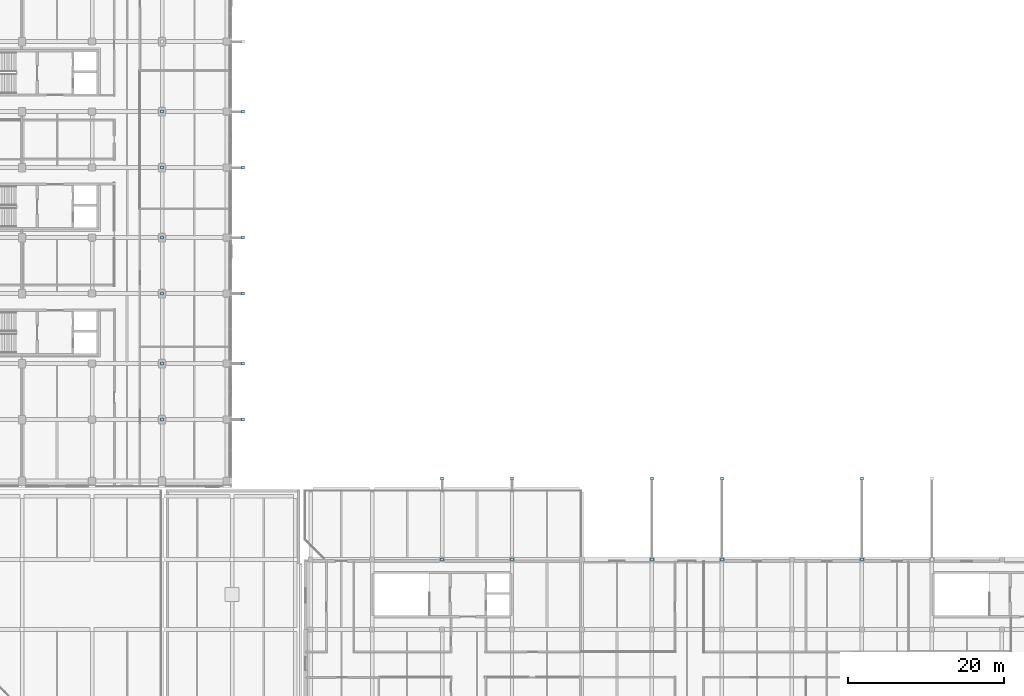
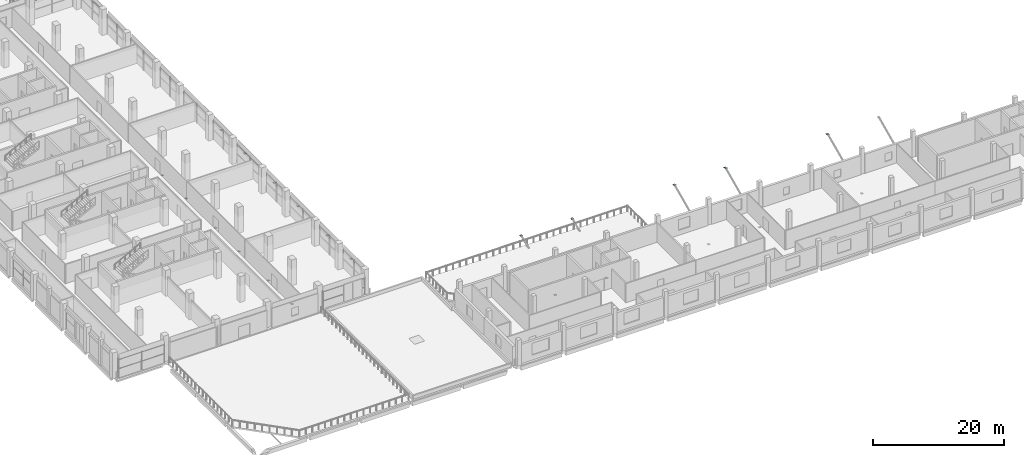
# One storey, part 42 of 82: 22 plates.
"""IFC4 building model written with IfcOpenShell, lengths in metres."""

from ifc_helpers import new_model, si_unit, direction, frame, origin, origin_2d, place, context, subcontext, project, spatial, rectangle, extrude, material, layer, layer_set, type_object, element, save


model = new_model("IFC4")

# Units and contexts
model_context = context("Model", 3, precision=1e-05, world=origin(), true_north=direction((0.0, 1.0)))
body_context = subcontext(model_context, "Body", "Model", "MODEL_VIEW")
ifc_project = project(units=[si_unit("LENGTHUNIT", "METRE"), si_unit("AREAUNIT", "SQUARE_METRE"), si_unit("VOLUMEUNIT", "CUBIC_METRE"), si_unit("PLANEANGLEUNIT", "RADIAN"), si_unit("MASSUNIT", "GRAM", prefix="KILO"), si_unit("THERMODYNAMICTEMPERATUREUNIT", "KELVIN"), si_unit("POWERUNIT", "WATT")], contexts=[model_context])

# Site, building, storey
site_placement = place(None, origin())
site = spatial("IfcSite", under=ifc_project, at=site_placement, CompositionType="ELEMENT")
building_placement = place(site_placement, origin())
building = spatial("IfcBuilding", under=site, at=building_placement, Name="Sindhuravela Promenade Stadium", CompositionType="ELEMENT")
storey_placement = place(building_placement, frame((0.0, 0.0, 14.39990234375)))
storey = spatial("IfcBuildingStorey", under=building, at=storey_placement, Name="L03", CompositionType="ELEMENT", Elevation=14.39990234375)

# Plates
ifc_material = material(Name="Steel E350 (IS 2062 E350BR)", Category="steel")
ifc_layer = layer(ifc_material, 0.033935546875)
ifc_layer_set = layer_set([ifc_layer], Name="Steel E350 (IS 2062 E350BR)")
plate_type = type_object("IfcPlateType", Name="ST-PL-CAP34", PredefinedType="USERDEFINED", material=ifc_layer_set)
for number, where, z_axis, x_axis, name in (
    (1, (36.0, 45.0, -3.81689453125), (0.0, 0.0, 1.0), (1.0, 0.0, 0.0), "Hollow strut end cap plate CP02 1A"),
    (2, (46.39990234375, 45.0, 0.93310546875), (0.0, 0.0, 1.0), (1.0, 0.0, 0.0), "Hollow strut end cap plate CP02 2B"),
    (3, (36.0, 52.199951171875, -3.81689453125), (0.0, 0.0, 1.0), (1.0, 0.0, 0.0), "Hollow strut end cap plate CP02 5A"),
    (4, (46.39990234375, 52.199951171875, 0.93310546875), (0.0, 0.0, 1.0), (1.0, 0.0, 0.0), "Hollow strut end cap plate CP02 6B"),
    (5, (36.0, 61.199951171875, -3.81689453125), (0.0, 0.0, 1.0), (1.0, 0.0, 0.0), "Hollow strut end cap plate CP02 9A"),
    (6, (46.39990234375, 61.199951171875, 0.93310546875), (0.0, 0.0, 1.0), (1.0, 0.0, 0.0), "Hollow strut end cap plate CP02 10B"),
    (7, (36.0, 68.39990234375, -3.81689453125), (0.0, 0.0, 1.0), (1.0, 0.0, 0.0), "Hollow strut end cap plate CP02 13A"),
    (8, (46.39990234375, 68.39990234375, 0.93310546875), (0.0, 0.0, 1.0), (1.0, 0.0, 0.0), "Hollow strut end cap plate CP02 14B"),
    (9, (36.0, 77.39990234375, -3.81689453125), (0.0, 0.0, 1.0), (1.0, 0.0, 0.0), "Hollow strut end cap plate CP02 17A"),
    (10, (46.39990234375, 77.39990234375, 0.93310546875), (0.0, 0.0, 1.0), (1.0, 0.0, 0.0), "Hollow strut end cap plate CP02 18B"),
    (11, (36.0, 84.60009765625, -3.81689453125), (0.0, 0.0, 1.0), (1.0, 0.0, 0.0), "Hollow strut end cap plate CP02 21A"),
    (12, (46.39990234375, 84.60009765625, 0.93310546875), (0.0, 0.0, 1.0), (1.0, 0.0, 0.0), "Hollow strut end cap plate CP02 22B"),
    (13, (72.0, 27.0, -3.81689453125), (0.0, 0.0, 1.0), (1.0, 0.0, 0.0), "Hollow strut end cap plate CP02 41A"),
    (14, (72.0, 37.39990234375, 0.93310546875), (0.0, 0.0, 1.0), (1.0, 0.0, 0.0), "Hollow strut end cap plate CP02 42B"),
    (15, (81.0, 27.0, -3.81689453125), (0.0, 0.0, 1.0), (1.0, 0.0, 0.0), "Hollow strut end cap plate CP02 45A"),
    (16, (81.0, 37.39990234375, 0.93310546875), (0.0, 0.0, 1.0), (1.0, 0.0, 0.0), "Hollow strut end cap plate CP02 46B"),
    (17, (99.0, 27.0, -3.81689453125), (0.0, 0.0, 1.0), (1.0, 0.0, 0.0), "Hollow strut end cap plate CP02 49A"),
    (18, (99.0, 37.39990234375, 0.93310546875), (0.0, 0.0, 1.0), (1.0, 0.0, 0.0), "Hollow strut end cap plate CP02 50B"),
    (19, (108.0, 27.0, -3.81689453125), (0.0, 0.0, 1.0), (1.0, 0.0, 0.0), "Hollow strut end cap plate CP02 53A"),
    (20, (108.0, 37.39990234375, 0.93310546875), (0.0, 0.0, 1.0), (1.0, 0.0, 0.0), "Hollow strut end cap plate CP02 54B"),
    (21, (126.0, 27.0, -3.81689453125), (0.0, 0.0, 1.0), (1.0, 0.0, 0.0), "Hollow strut end cap plate CP02 57A"),
    (22, (126.0, 37.39990234375, 0.93310546875), (0.0, 0.0, 1.0), (1.0, 0.0, 0.0), "Hollow strut end cap plate CP02 58B"),
):
    element("IfcPlate", number, at=place(storey_placement, frame(where, z_axis=z_axis, x_axis=x_axis)), inside=storey, type_object=plate_type, Name=name, ObjectType="GUSSET PLATE", PredefinedType="USERDEFINED", context=body_context, shape_type="SweptSolid", body=[
        extrude(rectangle(XDim=0.3798828125, YDim=0.3798828125, at=origin_2d()), origin(), (0.0, 0.0, 1.0), 0.033935546875),
    ])

save(model, "model.ifc")
